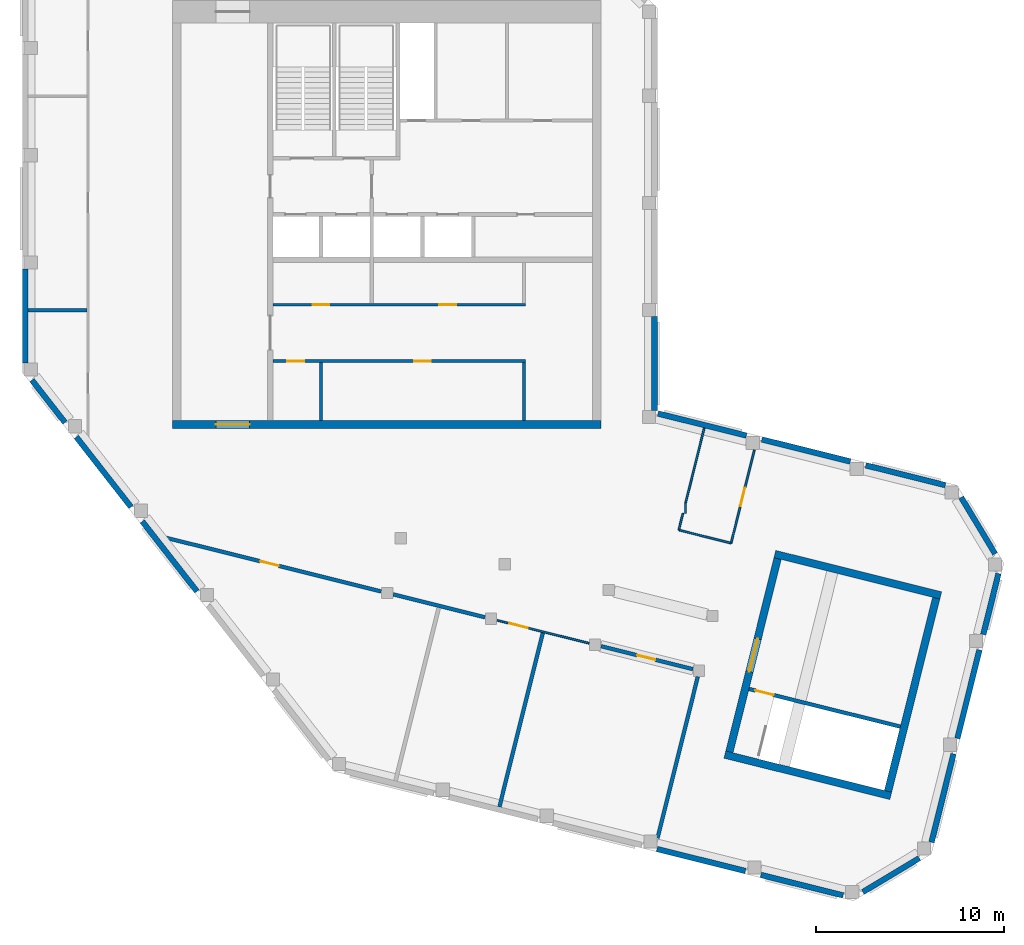
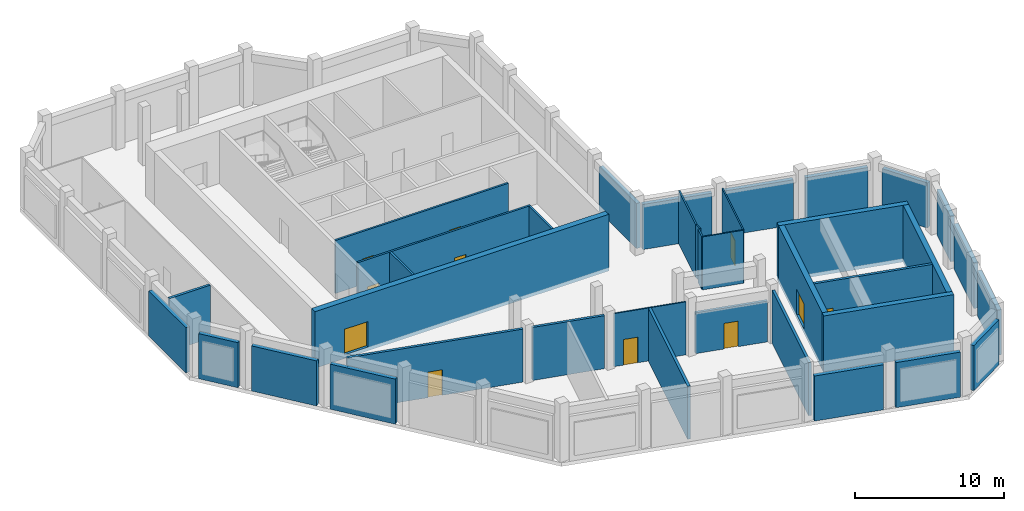
# One storey, part 2 of 5: 37 walls, 11 doors, 11 openings.
"""IFC4 building model written with IfcOpenShell, lengths in metres."""

from ifc_helpers import new_model, si_unit, direction, frame, frame_2d, origin, place, context, subcontext, project, spatial, rectangle, extrude, material, layer, layer_set, type_object, element, fill, save


model = new_model("IFC4")

# Units and contexts
model_context = context("Model", 3, precision=1e-05, world=origin(), true_north=direction((0.0, 1.0)))
body_context = subcontext(model_context, "Body", "Model", "MODEL_VIEW")
ifc_project = project(units=[si_unit("LENGTHUNIT", "METRE"), si_unit("AREAUNIT", "SQUARE_METRE"), si_unit("VOLUMEUNIT", "CUBIC_METRE"), si_unit("PLANEANGLEUNIT", "RADIAN"), si_unit("MASSUNIT", "GRAM", prefix="KILO")], contexts=[model_context])

# Site, building, storey
site_placement = place(None, origin())
site = spatial("IfcSite", under=ifc_project, at=site_placement, CompositionType="ELEMENT")
building_placement = place(site_placement, origin())
building = spatial("IfcBuilding", under=site, at=building_placement, Name="Meshkara Civic Tower", CompositionType="ELEMENT")
storey_placement = place(building_placement, frame((0.0, 0.0, 414.60009765625)))
storey = spatial("IfcBuildingStorey", under=building, at=storey_placement, Name="L95 Crown", CompositionType="ELEMENT", Elevation=414.60009765625)

# Walls
ifc_material_1 = material(Name="Insulated infill panel with bronze anodised aluminium cladding", Category="aluminium")
ifc_layer_1 = layer(ifc_material_1, 0.300048828125)
ifc_layer_set_1 = layer_set([ifc_layer_1], Name="CROWN WALL 300")
wall_type_1 = type_object("IfcWallType", Name="CROWN WALL 300", PredefinedType="SOLIDWALL", material=ifc_layer_set_1)
wall_1_placement = place(storey_placement, frame((49.132080078125, 11.093017578125, 0.0), z_axis=(0.0, 0.0, 1.0), x_axis=(-0.970270622343, 0.24202255973, 0.0)))
element("IfcWall", 1, at=wall_1_placement, inside=storey, type_object=wall_type_1, Name="Crown external wall", PredefinedType="SOLIDWALL", context=body_context, shape_type="SweptSolid", body=[
    extrude(rectangle(XDim=4.366943359375, YDim=0.300048828125, at=frame_2d((2.18359375, 0.0))), origin(), (0.0, 0.0, 1.0), 3.699951171875),
])
wall_2_placement = place(storey_placement, frame((44.072021484375, 12.35498046875, 0.0), z_axis=(0.0, 0.0, 1.0), x_axis=(-0.970272614069, 0.242014574744, 0.0)))
element("IfcWall", 2, at=wall_2_placement, inside=storey, type_object=wall_type_1, Name="Crown external wall", PredefinedType="SOLIDWALL", context=body_context, shape_type="SweptSolid", body=[
    extrude(rectangle(XDim=4.851318359375, YDim=0.300048828125, at=frame_2d((2.42578125, 0.0))), origin(), (0.0, 0.0, 1.0), 3.699951171875),
])
wall_3_placement = place(storey_placement, frame((38.5419921875, 13.73388671875, 0.0), z_axis=(0.0, 0.0, 1.0), x_axis=(-0.970284401049, 0.241967314076, 0.0)))
element("IfcWall", 3, at=wall_3_placement, inside=storey, type_object=wall_type_1, Name="Crown external wall", PredefinedType="SOLIDWALL", context=body_context, shape_type="SweptSolid", body=[
    extrude(rectangle(XDim=4.852294921875, YDim=0.300048828125, at=frame_2d((2.42626953125, 0.0))), origin(), (0.0, 0.0, 1.0), 3.699951171875),
])
for number, where, z_axis, x_axis, name in (
    (4, (33.64990234375, 15.069091796875, 0.0), (0.0, 0.0, 1.0), (0.0, 1.0, 0.0), "Crown external wall"),
    (5, (0.14990234375, 22.60498046875, 0.0), (0.0, 0.0, 1.0), (0.0, -1.0, 0.0), "Crown external wall"),
):
    element("IfcWall", number, at=place(storey_placement, frame(where, z_axis=z_axis, x_axis=x_axis)), inside=storey, type_object=wall_type_1, Name=name, PredefinedType="SOLIDWALL", context=body_context, shape_type="SweptSolid", body=[
        extrude(rectangle(XDim=5.0, YDim=0.300048828125, at=frame_2d((2.5, 0.0))), origin(), (0.0, 0.0, 1.0), 3.699951171875),
    ])
wall_4_placement = place(storey_placement, frame((0.51611328125, 16.68310546875, 0.0), z_axis=(0.0, 0.0, 1.0), x_axis=(0.615483207854, -0.788149998953, 0.0)))
element("IfcWall", 6, at=wall_4_placement, inside=storey, type_object=wall_type_1, Name="Crown external wall", PredefinedType="SOLIDWALL", context=body_context, shape_type="SweptSolid", body=[
    extrude(rectangle(XDim=2.857666015625, YDim=0.300048828125, at=frame_2d((1.4287109375, 0.0))), origin(), (0.0, 0.0, 1.0), 3.699951171875),
])
wall_5_placement = place(storey_placement, frame((2.8798828125, 13.656982421875, 0.0), z_axis=(0.0, 0.0, 1.0), x_axis=(0.61578764214, -0.787912165021, 0.0)))
element("IfcWall", 7, at=wall_5_placement, inside=storey, type_object=wall_type_1, Name="Crown external wall", PredefinedType="SOLIDWALL", context=body_context, shape_type="SweptSolid", body=[
    extrude(rectangle(XDim=4.717529296875, YDim=0.300048828125, at=frame_2d((2.35888671875, 0.0))), origin(), (0.0, 0.0, 1.0), 3.699951171875),
])
wall_6_placement = place(storey_placement, frame((6.388916015625, 9.1650390625, 0.0), z_axis=(0.0, 0.0, 1.0), x_axis=(0.61568721755, -0.7879906409, 0.0)))
element("IfcWall", 8, at=wall_6_placement, inside=storey, type_object=wall_type_1, Name="Crown external wall", PredefinedType="SOLIDWALL", context=body_context, shape_type="SweptSolid", body=[
    extrude(rectangle(XDim=4.71826171875, YDim=0.300048828125, at=frame_2d((2.359130859375, 0.0))), origin(), (0.0, 0.0, 1.0), 3.699951171875),
])
wall_7_placement = place(storey_placement, frame((33.781982421875, -8.26904296875, 0.0), z_axis=(0.0, 0.0, 1.0), x_axis=(0.970343440388, -0.241730444287, 0.0)))
element("IfcWall", 9, at=wall_7_placement, inside=storey, type_object=wall_type_1, Name="Crown external wall", PredefinedType="SOLIDWALL", context=body_context, shape_type="SweptSolid", body=[
    extrude(rectangle(XDim=4.851806640625, YDim=0.300048828125, at=frame_2d((2.42578125, 0.0))), origin(), (0.0, 0.0, 1.0), 3.699951171875),
])
wall_8_placement = place(storey_placement, frame((39.31298828125, -9.64794921875, 0.0), z_axis=(0.0, 0.0, 1.0), x_axis=(0.970295156014, -0.241924182784, 0.0)))
element("IfcWall", 10, at=wall_8_placement, inside=storey, type_object=wall_type_1, Name="Crown external wall", PredefinedType="SOLIDWALL", context=body_context, shape_type="SweptSolid", body=[
    extrude(rectangle(XDim=4.510009765625, YDim=0.300048828125, at=frame_2d((2.2548828125, 0.0))), origin(), (0.0, 0.0, 1.0), 3.699951171875),
])
wall_9_placement = place(storey_placement, frame((44.739013671875, -10.56005859375, 0.0), z_axis=(0.0, 0.0, 1.0), x_axis=(0.857216082003, 0.514956880481, 0.0)))
element("IfcWall", 11, at=wall_9_placement, inside=storey, type_object=wall_type_1, Name="Crown external wall", PredefinedType="SOLIDWALL", context=body_context, shape_type="SweptSolid", body=[
    extrude(rectangle(XDim=3.503173828125, YDim=0.300048828125, at=frame_2d((1.75146484375, 0.0))), origin(), (0.0, 0.0, 1.0), 3.699951171875),
])
wall_10_placement = place(storey_placement, frame((48.39306640625, -7.912109375, 0.0), z_axis=(0.0, 0.0, 1.0), x_axis=(0.241919943578, 0.970296212968, 0.0)))
element("IfcWall", 12, at=wall_10_placement, inside=storey, type_object=wall_type_1, Name="Crown external wall", PredefinedType="SOLIDWALL", context=body_context, shape_type="SweptSolid", body=[
    extrude(rectangle(XDim=4.85205078125, YDim=0.300048828125, at=frame_2d((2.426025390625, 0.0))), origin(), (0.0, 0.0, 1.0), 3.699951171875),
])
wall_11_placement = place(storey_placement, frame((49.77197265625, -2.381103515625, 0.0), z_axis=(0.0, 0.0, 1.0), x_axis=(0.242014574744, 0.970272614069, 0.0)))
element("IfcWall", 13, at=wall_11_placement, inside=storey, type_object=wall_type_1, Name="Crown external wall", PredefinedType="SOLIDWALL", context=body_context, shape_type="SweptSolid", body=[
    extrude(rectangle(XDim=4.851318359375, YDim=0.300048828125, at=frame_2d((2.42578125, 0.0))), origin(), (0.0, 0.0, 1.0), 3.699951171875),
])
wall_12_placement = place(storey_placement, frame((51.15087890625, 3.14892578125, 0.0), z_axis=(0.0, 0.0, 1.0), x_axis=(0.242002297387, 0.970275676321, 0.0)))
element("IfcWall", 14, at=wall_12_placement, inside=storey, type_object=wall_type_1, Name="Crown external wall", PredefinedType="SOLIDWALL", context=body_context, shape_type="SweptSolid", body=[
    extrude(rectangle(XDim=3.33935546875, YDim=0.300048828125, at=frame_2d((1.669677734375, 0.0))), origin(), (0.0, 0.0, 1.0), 3.699951171875),
])
wall_13_placement = place(storey_placement, frame((51.780029296875, 7.43896484375, 0.0), z_axis=(0.0, 0.0, 1.0), x_axis=(-0.514956880481, 0.857216082003, 0.0)))
element("IfcWall", 15, at=wall_13_placement, inside=storey, type_object=wall_type_1, Name="Crown external wall", PredefinedType="SOLIDWALL", context=body_context, shape_type="SweptSolid", body=[
    extrude(rectangle(XDim=3.503173828125, YDim=0.300048828125, at=frame_2d((1.75146484375, 0.0))), origin(), (0.0, 0.0, 1.0), 3.699951171875),
])

# Wall, openings, doors
ifc_material_2 = material(Name="Blockwork", Category="masonry")
ifc_layer_2 = layer(ifc_material_2, 0.14990234375)
ifc_layer_set_2 = layer_set([ifc_layer_2], Name="Core partition 150")
wall_type_2 = type_object("IfcWallType", Name="Core partition 150", PredefinedType="PARTITIONING", material=ifc_layer_set_2)
wall_14_placement = place(storey_placement, frame((13.35009765625, 17.699951171875, 0.0), z_axis=(0.0, 0.0, 1.0), x_axis=(1.0, 0.0, 0.0)))
wall_14 = element("IfcWall", 16, at=wall_14_placement, inside=storey, type_object=wall_type_2, Name="L95 Crown-C005", PredefinedType="PARTITIONING", context=body_context, shape_type="SweptSolid", body=[
    extrude(rectangle(XDim=13.4248046875, YDim=0.14990234375, at=frame_2d((6.71240234375, 0.0))), origin(), (0.0, 0.0, 1.0), 4.349853515625),
])
opening_1_placement = place(wall_14_placement, frame((0.75, 0.0, 0.0)))
opening_1 = element("IfcOpeningElement", 17, at=opening_1_placement, cuts=wall_14, Name="Opening L95 Crown-K005", PredefinedType="OPENING", context=body_context, shape_type="SweptSolid", body=[
    extrude(rectangle(XDim=0.89990234375, YDim=2.10009765625, at=frame_2d((0.449951171875, 1.050048828125))), frame((0.0, 0.0849609375, 0.0), z_axis=(0.0, -1.0, 0.0), x_axis=(1.0, 0.0, 0.0)), (0.0, 0.0, 1.0), 0.169921875),
])
opening_2_placement = place(wall_14_placement, frame((7.5, 0.0, 0.0)))
opening_2 = element("IfcOpeningElement", 18, at=opening_2_placement, cuts=wall_14, Name="Opening L95 Crown-K006", PredefinedType="OPENING", context=body_context, shape_type="SweptSolid", body=[
    extrude(rectangle(XDim=0.89990234375, YDim=2.10009765625, at=frame_2d((0.449951171875, 1.050048828125))), frame((0.0, 0.0849609375, 0.0), z_axis=(0.0, -1.0, 0.0), x_axis=(1.0, 0.0, 0.0)), (0.0, 0.0, 1.0), 0.169921875),
])
ifc_material_3 = material(Name="Timber door leaf in steel frame", Category="steel")
door_type_1 = type_object("IfcDoorType", Name="Core room door 900", OperationType="SINGLE_SWING_LEFT", PredefinedType="DOOR", material=ifc_material_3)
door_1_placement = place(opening_1_placement, origin())
door_1 = element("IfcDoor", 19, at=door_1_placement, inside=storey, type_object=door_type_1, Name="L95 Crown-K005", OperationType="SINGLE_SWING_LEFT", OverallHeight=2.10009765625, OverallWidth=0.89990234375, PredefinedType="DOOR", context=body_context, shape_type="SweptSolid", body=[
    extrude(rectangle(XDim=0.89990234375, YDim=2.10009765625, at=frame_2d((0.449951171875, 1.050048828125))), frame((0.0, 0.02490234375, 0.0), z_axis=(0.0, -1.0, 0.0), x_axis=(1.0, 0.0, 0.0)), (0.0, 0.0, 1.0), 0.050048828125),
])
fill(opening_1, door_1)
door_2_placement = place(opening_2_placement, origin())
door_2 = element("IfcDoor", 20, at=door_2_placement, inside=storey, type_object=door_type_1, Name="L95 Crown-K006", OperationType="SINGLE_SWING_RIGHT", OverallHeight=2.10009765625, OverallWidth=0.89990234375, PredefinedType="DOOR", context=body_context, shape_type="SweptSolid", body=[
    extrude(rectangle(XDim=0.89990234375, YDim=2.10009765625, at=frame_2d((0.449951171875, 1.050048828125))), frame((0.0, 0.02490234375, 0.0), z_axis=(0.0, -1.0, 0.0), x_axis=(1.0, 0.0, 0.0)), (0.0, 0.0, 1.0), 0.050048828125),
])
fill(opening_2, door_2)

wall_15_placement = place(storey_placement, frame((13.35009765625, 20.699951171875, 0.0), z_axis=(0.0, 0.0, 1.0), x_axis=(1.0, 0.0, 0.0)))
wall_15 = element("IfcWall", 21, at=wall_15_placement, inside=storey, type_object=wall_type_2, Name="L95 Crown-C006", PredefinedType="PARTITIONING", context=body_context, shape_type="SweptSolid", body=[
    extrude(rectangle(XDim=13.4248046875, YDim=0.14990234375, at=frame_2d((6.71240234375, 0.0))), origin(), (0.0, 0.0, 1.0), 4.349853515625),
])
opening_3_placement = place(wall_15_placement, frame((2.10009765625, 0.0, 0.0)))
opening_3 = element("IfcOpeningElement", 22, at=opening_3_placement, cuts=wall_15, Name="Opening L95 Crown-K007", PredefinedType="OPENING", context=body_context, shape_type="SweptSolid", body=[
    extrude(rectangle(XDim=0.89990234375, YDim=2.10009765625, at=frame_2d((0.449951171875, 1.050048828125))), frame((0.0, 0.0849609375, 0.0), z_axis=(0.0, -1.0, 0.0), x_axis=(1.0, 0.0, 0.0)), (0.0, 0.0, 1.0), 0.169921875),
])
opening_4_placement = place(wall_15_placement, frame((8.85009765625, 0.0, 0.0)))
opening_4 = element("IfcOpeningElement", 23, at=opening_4_placement, cuts=wall_15, Name="Opening L95 Crown-K008", PredefinedType="OPENING", context=body_context, shape_type="SweptSolid", body=[
    extrude(rectangle(XDim=0.89990234375, YDim=2.10009765625, at=frame_2d((0.449951171875, 1.050048828125))), frame((0.0, 0.0849609375, 0.0), z_axis=(0.0, -1.0, 0.0), x_axis=(1.0, 0.0, 0.0)), (0.0, 0.0, 1.0), 0.169921875),
])
door_3_placement = place(opening_3_placement, origin())
door_3 = element("IfcDoor", 24, at=door_3_placement, inside=storey, type_object=door_type_1, Name="L95 Crown-K007", OperationType="SINGLE_SWING_RIGHT", OverallHeight=2.10009765625, OverallWidth=0.89990234375, PredefinedType="DOOR", context=body_context, shape_type="SweptSolid", body=[
    extrude(rectangle(XDim=0.89990234375, YDim=2.10009765625, at=frame_2d((0.449951171875, 1.050048828125))), frame((0.0, 0.02490234375, 0.0), z_axis=(0.0, -1.0, 0.0), x_axis=(1.0, 0.0, 0.0)), (0.0, 0.0, 1.0), 0.050048828125),
])
fill(opening_3, door_3)
door_4_placement = place(opening_4_placement, origin())
door_4 = element("IfcDoor", 25, at=door_4_placement, inside=storey, type_object=door_type_1, Name="L95 Crown-K008", OperationType="SINGLE_SWING_RIGHT", OverallHeight=2.10009765625, OverallWidth=0.89990234375, PredefinedType="DOOR", context=body_context, shape_type="SweptSolid", body=[
    extrude(rectangle(XDim=0.89990234375, YDim=2.10009765625, at=frame_2d((0.449951171875, 1.050048828125))), frame((0.0, 0.02490234375, 0.0), z_axis=(0.0, -1.0, 0.0), x_axis=(1.0, 0.0, 0.0)), (0.0, 0.0, 1.0), 0.050048828125),
])
fill(opening_4, door_4)

# Walls
for number, where, z_axis, x_axis, name in (
    (26, (15.89990234375, 14.550048828125, 0.0), (0.0, 0.0, 1.0), (0.0, 1.0, 0.0), "L95 Crown-C012"),
    (27, (26.699951171875, 14.550048828125, 0.0), (0.0, 0.0, 1.0), (0.0, 1.0, 0.0), "L95 Crown-C021"),
):
    element("IfcWall", number, at=place(storey_placement, frame(where, z_axis=z_axis, x_axis=x_axis)), inside=storey, type_object=wall_type_2, Name=name, PredefinedType="PARTITIONING", context=body_context, shape_type="SweptSolid", body=[
        extrude(rectangle(XDim=3.074951171875, YDim=0.14990234375, at=frame_2d((1.53759765625, 0.0))), origin(), (0.0, 0.0, 1.0), 4.349853515625),
    ])

# Wall, opening, door
ifc_material_4 = material(Name="Concrete C50", Category="concrete")
ifc_layer_3 = layer(ifc_material_4, 0.449951171875)
ifc_layer_set_3 = layer_set([ifc_layer_3], Name="Core ring wall 450 C50")
wall_type_3 = type_object("IfcWallType", Name="Core ring wall 450 C50", PredefinedType="SHEAR", material=ifc_layer_set_3)
wall_16_placement = place(storey_placement, frame((8.0, 14.324951171875, -0.300048828125), z_axis=(0.0, 0.0, 1.0), x_axis=(1.0, 0.0, 0.0)))
wall_16 = element("IfcWall", 28, at=wall_16_placement, inside=storey, type_object=wall_type_3, Name="L95 Crown-C001", PredefinedType="SHEAR", context=body_context, shape_type="SweptSolid", body=[
    extrude(rectangle(XDim=22.800048828125, YDim=0.449951171875, at=frame_2d((11.39990234375, 0.0))), origin(), (0.0, 0.0, 1.0), 4.64990234375),
])
opening_5_placement = place(wall_16_placement, frame((2.300048828125, 0.0, 0.300048828125)))
opening_5 = element("IfcOpeningElement", 29, at=opening_5_placement, cuts=wall_16, Name="Opening L95 Crown-K019", PredefinedType="OPENING", context=body_context, shape_type="SweptSolid", body=[
    extrude(rectangle(XDim=1.800048828125, YDim=2.10009765625, at=frame_2d((0.89990234375, 1.050048828125))), frame((0.0, 0.23486328125, 0.0), z_axis=(0.0, -1.0, 0.0), x_axis=(1.0, 0.0, 0.0)), (0.0, 0.0, 1.0), 0.469970703125),
])
ifc_material_5 = material(Name="Fire-rated door leaf in steel frame", Category="steel")
door_type_2 = type_object("IfcDoorType", Name="Core double door 1800 EI 60", OperationType="DOUBLE_DOOR_SINGLE_SWING", PredefinedType="DOOR", material=ifc_material_5)
door_5_placement = place(opening_5_placement, origin())
door_5 = element("IfcDoor", 30, at=door_5_placement, inside=storey, type_object=door_type_2, Name="L95 Crown-K019", OperationType="DOUBLE_DOOR_SINGLE_SWING", OverallHeight=2.10009765625, OverallWidth=1.800048828125, PredefinedType="DOOR", context=body_context, shape_type="SweptSolid", body=[
    extrude(rectangle(XDim=1.800048828125, YDim=2.10009765625, at=frame_2d((0.89990234375, 1.050048828125))), frame((0.0, 0.02490234375, 0.0), z_axis=(0.0, -1.0, 0.0), x_axis=(1.0, 0.0, 0.0)), (0.0, 0.0, 1.0), 0.050048828125),
])
fill(opening_5, door_5)

ifc_material_6 = material(Name="Corridor wall 100")
ifc_layer_4 = layer(ifc_material_6, 0.10009765625)
ifc_layer_set_4 = layer_set([ifc_layer_4], Name="Corridor wall 100")
wall_type_4 = type_object("IfcWallType", Name="Corridor wall 100", PredefinedType="PARTITIONING", material=ifc_layer_set_4)
wall_17_placement = place(storey_placement, frame((25.27392578125, 3.902099609375, 0.0), z_axis=(0.0, 0.0, 1.0), x_axis=(0.970262034576, -0.242056985565, 0.0)))
wall_17 = element("IfcWall", 31, at=wall_17_placement, inside=storey, type_object=wall_type_4, Name="L95 Crown-R005", PredefinedType="PARTITIONING", context=body_context, shape_type="SweptSolid", body=[
    extrude(rectangle(XDim=5.041015625, YDim=0.10009765625, at=frame_2d((2.5205078125, 0.0))), origin(), (0.0, 0.0, 1.0), 4.349853515625),
])
opening_6_placement = place(wall_17_placement, frame((0.679931640625, 0.0, 0.0)))
opening_6 = element("IfcOpeningElement", 32, at=opening_6_placement, cuts=wall_17, Name="Opening L95 Crown-P001", PredefinedType="OPENING", context=body_context, shape_type="SweptSolid", body=[
    extrude(rectangle(XDim=1.0, YDim=2.10009765625, at=frame_2d((0.5, 1.050048828125))), frame((0.0, 0.06005859375, 0.0), z_axis=(0.0, -1.0, 0.0), x_axis=(1.0, 0.0, 0.0)), (0.0, 0.0, 1.0), 0.1201171875),
])
ifc_material_7 = material(Name="Door 1000 x 2100")
door_type_3 = type_object("IfcDoorType", Name="Door 1000 x 2100", OperationType="SINGLE_SWING_LEFT", PredefinedType="DOOR", material=ifc_material_7)
door_6_placement = place(opening_6_placement, origin())
door_6 = element("IfcDoor", 33, at=door_6_placement, inside=storey, type_object=door_type_3, Name="L95 Crown-P001", OperationType="SINGLE_SWING_LEFT", OverallHeight=2.10009765625, OverallWidth=1.0, PredefinedType="DOOR", context=body_context, shape_type="SweptSolid", body=[
    extrude(rectangle(XDim=1.0, YDim=2.10009765625, at=frame_2d((0.5, 1.050048828125))), frame((0.0, 0.02490234375, 0.0), z_axis=(0.0, -1.0, 0.0), x_axis=(1.0, 0.0, 0.0)), (0.0, 0.0, 1.0), 0.050048828125),
])
fill(opening_6, door_6)

# Walls
wall_18_placement = place(storey_placement, frame((34.944091796875, 8.705078125, 0.0), z_axis=(0.0, 0.0, 1.0), x_axis=(0.241663601194, 0.97036008979, 0.0)))
element("IfcWall", 34, at=wall_18_placement, inside=storey, type_object=wall_type_4, Name="L95 Crown-R007", PredefinedType="PARTITIONING", context=body_context, shape_type="SweptSolid", body=[
    extrude(rectangle(XDim=0.92236328125, YDim=0.10009765625, at=frame_2d((0.461181640625, 0.0))), origin(), (0.0, 0.0, 1.0), 4.349853515625),
])
wall_19_placement = place(storey_placement, frame((35.300048828125, 9.60009765625, 0.0), z_axis=(0.0, 0.0, 1.0), x_axis=(0.0, 1.0, 0.0)))
element("IfcWall", 35, at=wall_19_placement, inside=storey, type_object=wall_type_4, Name="L95 Crown-R008", PredefinedType="PARTITIONING", context=body_context, shape_type="SweptSolid", body=[
    extrude(rectangle(XDim=0.533935546875, YDim=0.10009765625, at=frame_2d((0.26708984375, 0.0))), origin(), (0.0, 0.0, 1.0), 4.349853515625),
])
wall_20_placement = place(storey_placement, frame((35.300048828125, 10.134033203125, 0.0), z_axis=(0.0, 0.0, 1.0), x_axis=(0.24203457236, 0.970267625855, 0.0)))
element("IfcWall", 36, at=wall_20_placement, inside=storey, type_object=wall_type_4, Name="L95 Crown-R009", PredefinedType="PARTITIONING", context=body_context, shape_type="SweptSolid", body=[
    extrude(rectangle(XDim=4.127685546875, YDim=0.10009765625, at=frame_2d((2.06396484375, 0.0))), origin(), (0.0, 0.0, 1.0), 4.349853515625),
])
wall_21_placement = place(storey_placement, frame((37.72802734375, 8.010986328125, 0.0), z_axis=(0.0, 0.0, 1.0), x_axis=(-0.970297468312, 0.241914908569, 0.0)))
element("IfcWall", 37, at=wall_21_placement, inside=storey, type_object=wall_type_4, Name="L95 Crown-R011", PredefinedType="PARTITIONING", context=body_context, shape_type="SweptSolid", body=[
    extrude(rectangle(XDim=2.869140625, YDim=0.10009765625, at=frame_2d((1.4345703125, 0.0))), origin(), (0.0, 0.0, 1.0), 4.349853515625),
])

# Wall, opening, door
wall_22_placement = place(storey_placement, frame((38.965087890625, 12.969970703125, 0.0), z_axis=(0.0, 0.0, 1.0), x_axis=(-0.24204105301, -0.970266009225, 0.0)))
wall_22 = element("IfcWall", 38, at=wall_22_placement, inside=storey, type_object=wall_type_4, Name="L95 Crown-R012", PredefinedType="PARTITIONING", context=body_context, shape_type="SweptSolid", body=[
    extrude(rectangle(XDim=5.11083984375, YDim=0.10009765625, at=frame_2d((2.555419921875, 0.0))), origin(), (0.0, 0.0, 1.0), 4.349853515625),
])
opening_7_placement = place(wall_22_placement, frame((2.080078125, 0.0, 0.0)))
opening_7 = element("IfcOpeningElement", 39, at=opening_7_placement, cuts=wall_22, Name="Opening L95 Crown-P004", PredefinedType="OPENING", context=body_context, shape_type="SweptSolid", body=[
    extrude(rectangle(XDim=1.0, YDim=2.10009765625, at=frame_2d((0.5, 1.050048828125))), frame((0.0, 0.06005859375, 0.0), z_axis=(0.0, -1.0, 0.0), x_axis=(1.0, 0.0, 0.0)), (0.0, 0.0, 1.0), 0.1201171875),
])
door_7_placement = place(opening_7_placement, origin())
door_7 = element("IfcDoor", 40, at=door_7_placement, inside=storey, type_object=door_type_3, Name="L95 Crown-P004", OperationType="SINGLE_SWING_LEFT", OverallHeight=2.10009765625, OverallWidth=1.0, PredefinedType="DOOR", context=body_context, shape_type="SweptSolid", body=[
    extrude(rectangle(XDim=1.0, YDim=2.10009765625, at=frame_2d((0.5, 1.050048828125))), frame((0.0, 0.02490234375, 0.0), z_axis=(0.0, -1.0, 0.0), x_axis=(1.0, 0.0, 0.0)), (0.0, 0.0, 1.0), 0.050048828125),
])
fill(opening_7, door_7)

# Walls
ifc_material_8 = material(Name="Concrete C50", Category="concrete")
ifc_layer_5 = layer(ifc_material_8, 0.39990234375)
ifc_layer_set_5 = layer_set([ifc_layer_5], Name="End core ring wall 400 C50")
wall_type_5 = type_object("IfcWallType", Name="End core ring wall 400 C50", PredefinedType="SHEAR", material=ifc_layer_set_5)
for number, where, z_axis, x_axis, name in (
    (41, (37.39599609375, -3.242919921875, -0.300048828125), (0.0, 0.0, 1.0), (0.970281210621, -0.241980107272, 0.0), "L95 Crown-C023"),
    (42, (40.056884765625, 7.429931640625, -0.300048828125), (0.0, 0.0, 1.0), (0.970287509026, -0.241954850805, 0.0), "L95 Crown-C024"),
):
    element("IfcWall", number, at=place(storey_placement, frame(where, z_axis=z_axis, x_axis=x_axis)), inside=storey, type_object=wall_type_5, Name=name, PredefinedType="SHEAR", context=body_context, shape_type="SweptSolid", body=[
        extrude(rectangle(XDim=9.1005859375, YDim=0.39990234375, at=frame_2d((4.55029296875, 0.0))), origin(), (0.0, 0.0, 1.0), 4.64990234375),
    ])

# Wall, opening, door
wall_23_placement = place(storey_placement, frame((37.638916015625, -3.097900390625, -0.300048828125), z_axis=(0.0, 0.0, 1.0), x_axis=(0.241869030534, 0.970308905488, 0.0)))
wall_23 = element("IfcWall", 43, at=wall_23_placement, inside=storey, type_object=wall_type_5, Name="L95 Crown-C025", PredefinedType="SHEAR", context=body_context, shape_type="SweptSolid", body=[
    extrude(rectangle(XDim=10.6005859375, YDim=0.39990234375, at=frame_2d((5.30029296875, 0.0))), origin(), (0.0, 0.0, 1.0), 4.64990234375),
])
opening_8_placement = place(wall_23_placement, frame((4.39990234375, 0.0, 0.300048828125)))
opening_8 = element("IfcOpeningElement", 44, at=opening_8_placement, cuts=wall_23, Name="Opening L95 Crown-K202", PredefinedType="OPENING", context=body_context, shape_type="SweptSolid", body=[
    extrude(rectangle(XDim=1.800048828125, YDim=2.10009765625, at=frame_2d((0.89990234375, 1.050048828125))), frame((0.0, 0.2099609375, 0.0), z_axis=(0.0, -1.0, 0.0), x_axis=(1.0, 0.0, 0.0)), (0.0, 0.0, 1.0), 0.419921875),
])
door_8_placement = place(opening_8_placement, origin())
door_8 = element("IfcDoor", 45, at=door_8_placement, inside=storey, type_object=door_type_2, Name="L95 Crown-K202", OperationType="DOUBLE_DOOR_SINGLE_SWING", OverallHeight=2.10009765625, OverallWidth=1.800048828125, PredefinedType="DOOR", context=body_context, shape_type="SweptSolid", body=[
    extrude(rectangle(XDim=1.800048828125, YDim=2.10009765625, at=frame_2d((0.89990234375, 1.050048828125))), frame((0.0, 0.02490234375, 0.0), z_axis=(0.0, -1.0, 0.0), x_axis=(1.0, 0.0, 0.0)), (0.0, 0.0, 1.0), 0.050048828125),
])
fill(opening_8, door_8)

# Wall
wall_24_placement = place(storey_placement, frame((46.080078125, -5.201904296875, -0.300048828125), z_axis=(0.0, 0.0, 1.0), x_axis=(0.241977390218, 0.970281888228, 0.0)))
element("IfcWall", 46, at=wall_24_placement, inside=storey, type_object=wall_type_5, Name="L95 Crown-C026", PredefinedType="SHEAR", context=body_context, shape_type="SweptSolid", body=[
    extrude(rectangle(XDim=10.599853515625, YDim=0.39990234375, at=frame_2d((5.2998046875, 0.0))), origin(), (0.0, 0.0, 1.0), 4.64990234375),
])

# Wall, opening, door
ifc_material_9 = material(Name="Fire-rated wall 200")
ifc_layer_6 = layer(ifc_material_9, 0.199951171875)
ifc_layer_set_6 = layer_set([ifc_layer_6], Name="Fire-rated wall 200")
wall_type_6 = type_object("IfcWallType", Name="Fire-rated wall 200", PredefinedType="PARTITIONING", material=ifc_layer_set_6)
wall_25_placement = place(storey_placement, frame((7.1650390625, 8.4169921875, 0.0), z_axis=(0.0, 0.0, 1.0), x_axis=(0.970289382388, -0.241947338122, 0.0)))
wall_25 = element("IfcWall", 47, at=wall_25_placement, inside=storey, type_object=wall_type_6, Name="L95 Crown-R003", PredefinedType="PARTITIONING", context=body_context, shape_type="SweptSolid", body=[
    extrude(rectangle(XDim=12.304443359375, YDim=0.199951171875, at=frame_2d((6.15234375, 0.0))), origin(), (0.0, 0.0, 1.0), 4.349853515625),
])
opening_9_placement = place(wall_25_placement, frame((5.679931640625, 0.0, 0.0)))
opening_9 = element("IfcOpeningElement", 48, at=opening_9_placement, cuts=wall_25, Name="Opening L95 Crown-P003", PredefinedType="OPENING", context=body_context, shape_type="SweptSolid", body=[
    extrude(rectangle(XDim=1.0, YDim=2.10009765625, at=frame_2d((0.5, 1.050048828125))), frame((0.0, 0.10986328125, 0.0), z_axis=(0.0, -1.0, 0.0), x_axis=(1.0, 0.0, 0.0)), (0.0, 0.0, 1.0), 0.219970703125),
])
door_9_placement = place(opening_9_placement, origin())
door_9 = element("IfcDoor", 49, at=door_9_placement, inside=storey, type_object=door_type_3, Name="L95 Crown-P003", OperationType="SINGLE_SWING_RIGHT", OverallHeight=2.10009765625, OverallWidth=1.0, PredefinedType="DOOR", context=body_context, shape_type="SweptSolid", body=[
    extrude(rectangle(XDim=1.0, YDim=2.10009765625, at=frame_2d((0.5, 1.050048828125))), frame((0.0, 0.02490234375, 0.0), z_axis=(0.0, -1.0, 0.0), x_axis=(1.0, 0.0, 0.0)), (0.0, 0.0, 1.0), 0.050048828125),
])
fill(opening_9, door_9)

# Wall
wall_26_placement = place(storey_placement, frame((19.743896484375, 5.281005859375, 0.0), z_axis=(0.0, 0.0, 1.0), x_axis=(0.970262058426, -0.242056889963, 0.0)))
element("IfcWall", 50, at=wall_26_placement, inside=storey, type_object=wall_type_6, Name="L95 Crown-R004", PredefinedType="PARTITIONING", context=body_context, shape_type="SweptSolid", body=[
    extrude(rectangle(XDim=5.0400390625, YDim=0.199951171875, at=frame_2d((2.52001953125, 0.0))), origin(), (0.0, 0.0, 1.0), 4.349853515625),
])

# Wall, opening, door
wall_27_placement = place(storey_placement, frame((30.804931640625, 2.52294921875, 0.0), z_axis=(0.0, 0.0, 1.0), x_axis=(0.970273408026, -0.242011391629, 0.0)))
wall_27 = element("IfcWall", 51, at=wall_27_placement, inside=storey, type_object=wall_type_6, Name="L95 Crown-R006", PredefinedType="PARTITIONING", context=body_context, shape_type="SweptSolid", body=[
    extrude(rectangle(XDim=5.041015625, YDim=0.199951171875, at=frame_2d((2.5205078125, 0.0))), origin(), (0.0, 0.0, 1.0), 3.349853515625),
])
opening_10_placement = place(wall_27_placement, frame((1.97998046875, 0.0, 0.0)))
opening_10 = element("IfcOpeningElement", 52, at=opening_10_placement, cuts=wall_27, Name="Opening L95 Crown-P002", PredefinedType="OPENING", context=body_context, shape_type="SweptSolid", body=[
    extrude(rectangle(XDim=1.0, YDim=2.10009765625, at=frame_2d((0.5, 1.050048828125))), frame((0.0, 0.10986328125, 0.0), z_axis=(0.0, -1.0, 0.0), x_axis=(1.0, 0.0, 0.0)), (0.0, 0.0, 1.0), 0.219970703125),
])
door_10_placement = place(opening_10_placement, origin())
door_10 = element("IfcDoor", 53, at=door_10_placement, inside=storey, type_object=door_type_3, Name="L95 Crown-P002", OperationType="SINGLE_SWING_RIGHT", OverallHeight=2.10009765625, OverallWidth=1.0, PredefinedType="DOOR", context=body_context, shape_type="SweptSolid", body=[
    extrude(rectangle(XDim=1.0, YDim=2.10009765625, at=frame_2d((0.5, 1.050048828125))), frame((0.0, 0.02490234375, 0.0), z_axis=(0.0, -1.0, 0.0), x_axis=(1.0, 0.0, 0.0)), (0.0, 0.0, 1.0), 0.050048828125),
])
fill(opening_10, door_10)

# Walls
wall_28_placement = place(storey_placement, frame((35.9560546875, 0.903076171875, 0.0), z_axis=(0.0, 0.0, 1.0), x_axis=(-0.241932473616, -0.970293088819, 0.0)))
element("IfcWall", 54, at=wall_28_placement, inside=storey, type_object=wall_type_6, Name="L95 Crown-R010", PredefinedType="PARTITIONING", context=body_context, shape_type="SweptSolid", body=[
    extrude(rectangle(XDim=8.858154296875, YDim=0.199951171875, at=frame_2d((4.42919921875, 0.0))), origin(), (0.0, 0.0, 1.0), 4.349853515625),
])
wall_29_placement = place(storey_placement, frame((3.449951171875, 20.39990234375, 0.0), z_axis=(0.0, 0.0, 1.0), x_axis=(-1.0, 0.0, 0.0)))
element("IfcWall", 55, at=wall_29_placement, inside=storey, type_object=wall_type_6, Name="L95 Crown-R013", PredefinedType="PARTITIONING", context=body_context, shape_type="SweptSolid", body=[
    extrude(rectangle(XDim=3.14990234375, YDim=0.199951171875, at=frame_2d((1.574951171875, 0.0))), origin(), (0.0, 0.0, 1.0), 4.349853515625),
])
wall_30_placement = place(storey_placement, frame((25.39697265625, -6.02294921875, 0.0), z_axis=(0.0, 0.0, 1.0), x_axis=(0.242000222655, 0.97027619379, 0.0)))
element("IfcWall", 56, at=wall_30_placement, inside=storey, type_object=wall_type_6, Name="L95 Crown-R016", PredefinedType="PARTITIONING", context=body_context, shape_type="SweptSolid", body=[
    extrude(rectangle(XDim=9.5498046875, YDim=0.199951171875, at=frame_2d((4.77490234375, 0.0))), origin(), (0.0, 0.0, 1.0), 4.349853515625),
])

# Wall, opening, door
ifc_material_10 = material(Name="Concrete C40/50", Category="concrete")
ifc_layer_7 = layer(ifc_material_10, 0.199951171875)
ifc_layer_set_7 = layer_set([ifc_layer_7], Name="Stair enclosure wall 200 C40/50")
wall_type_7 = type_object("IfcWallType", Name="Stair enclosure wall 200 C40/50", PredefinedType="SOLIDWALL", material=ifc_layer_set_7)
wall_31_placement = place(storey_placement, frame((38.678955078125, 0.25, 0.0), z_axis=(0.0, 0.0, 1.0), x_axis=(0.970296288869, -0.241919639151, 0.0)))
wall_31 = element("IfcWall", 57, at=wall_31_placement, inside=storey, type_object=wall_type_7, Name="L95 Crown-C027", PredefinedType="SOLIDWALL", context=body_context, shape_type="SweptSolid", body=[
    extrude(rectangle(XDim=8.300537109375, YDim=0.199951171875, at=frame_2d((4.150390625, 0.0))), origin(), (0.0, 0.0, 1.0), 4.349853515625),
])
opening_11_placement = place(wall_31_placement, frame((0.35009765625, 0.0, 0.0)))
opening_11 = element("IfcOpeningElement", 58, at=opening_11_placement, cuts=wall_31, Name="Opening L95 Crown-K201", PredefinedType="OPENING", context=body_context, shape_type="SweptSolid", body=[
    extrude(rectangle(XDim=1.0, YDim=2.10009765625, at=frame_2d((0.5, 1.050048828125))), frame((0.0, 0.10986328125, 0.0), z_axis=(0.0, -1.0, 0.0), x_axis=(1.0, 0.0, 0.0)), (0.0, 0.0, 1.0), 0.219970703125),
])
ifc_material_11 = material(Name="Fire-rated door leaf in steel frame", Category="steel")
door_type_4 = type_object("IfcDoorType", Name="Stair door 1000 EI 120", OperationType="SINGLE_SWING_LEFT", PredefinedType="DOOR", material=ifc_material_11)
door_11_placement = place(opening_11_placement, origin())
door_11 = element("IfcDoor", 59, at=door_11_placement, inside=storey, type_object=door_type_4, Name="L95 Crown-K201", OperationType="SINGLE_SWING_LEFT", OverallHeight=2.10009765625, OverallWidth=1.0, PredefinedType="DOOR", context=body_context, shape_type="SweptSolid", body=[
    extrude(rectangle(XDim=1.0, YDim=2.10009765625, at=frame_2d((0.5, 1.050048828125))), frame((0.0, 0.02490234375, 0.0), z_axis=(0.0, -1.0, 0.0), x_axis=(1.0, 0.0, 0.0)), (0.0, 0.0, 1.0), 0.050048828125),
])
fill(opening_11, door_11)

save(model, "model.ifc")
